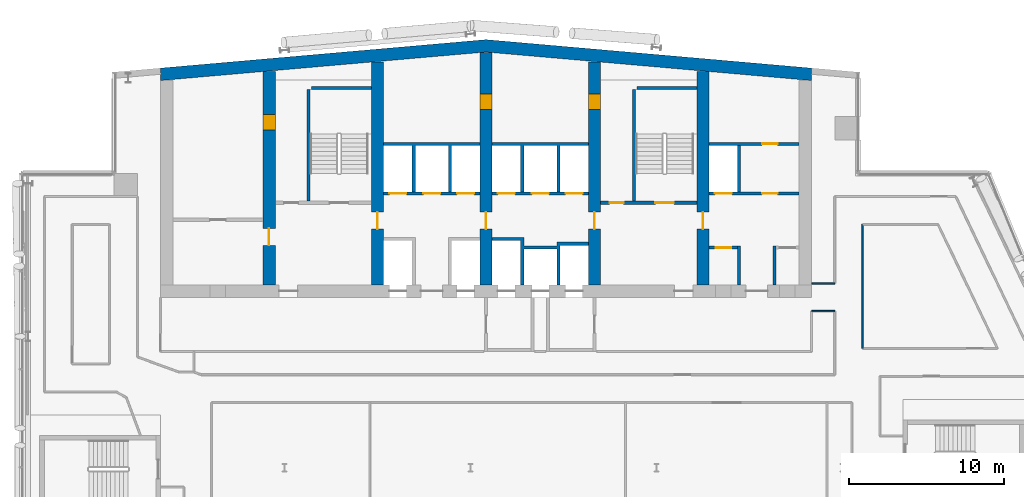
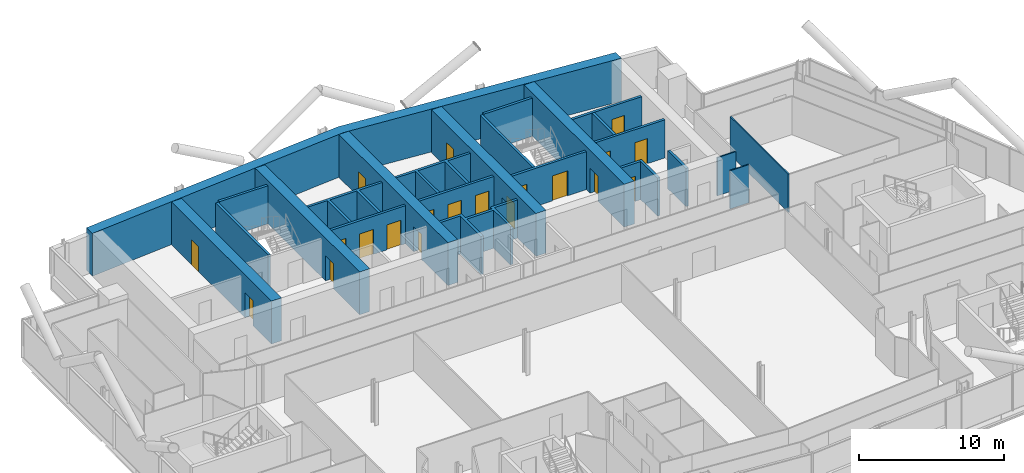
# One storey, part 18 of 28: 25 walls, 20 doors, 20 openings.
"""IFC4 building model written with IfcOpenShell, lengths in metres."""

from ifc_helpers import new_model, si_unit, direction, frame, frame_2d, origin, place, context, subcontext, project, spatial, polyline, rectangle, outline, extrude, material, layer, layer_set, type_object, element, fill, save


model = new_model("IFC4")

# Units and contexts
model_context = context("Model", 3, precision=1e-05, world=origin(), true_north=direction((0.0, 1.0)))
body_context = subcontext(model_context, "Body", "Model", "MODEL_VIEW")
ifc_project = project(units=[si_unit("LENGTHUNIT", "METRE"), si_unit("AREAUNIT", "SQUARE_METRE"), si_unit("VOLUMEUNIT", "CUBIC_METRE"), si_unit("PLANEANGLEUNIT", "RADIAN"), si_unit("MASSUNIT", "GRAM", prefix="KILO")], contexts=[model_context])

# Site, building, storey
site_placement = place(None, origin())
site = spatial("IfcSite", under=ifc_project, at=site_placement, CompositionType="ELEMENT")
building_placement = place(site_placement, origin())
building = spatial("IfcBuilding", under=site, at=building_placement, Name="Wharfspan Tower", CompositionType="ELEMENT")
storey_placement = place(building_placement, frame((0.0, 0.0, 187.899902)))
storey = spatial("IfcBuildingStorey", under=building, at=storey_placement, Name="L46", CompositionType="ELEMENT", Elevation=187.899902)

# Walls
ifc_material_1 = material(Name="Gypsum board on steel studs", Category="steel")
ifc_layer_1 = layer(ifc_material_1, 0.100098)
ifc_layer_set_1 = layer_set([ifc_layer_1], Name="Gypsum board on steel studs")
wall_type_1 = type_object("IfcWallType", Name="Compartment wall 100 EI 60", PredefinedType="PARTITIONING", material=ifc_layer_set_1)
wall_1_placement = place(storey_placement, frame((58.0, 33.100098, 0.0), z_axis=(0.0, 0.0, 1.0), x_axis=(1.0, 0.0, 0.0)))
element("IfcWall", 1, at=wall_1_placement, inside=storey, type_object=wall_type_1, Name="Partition L46.w077", PredefinedType="PARTITIONING", context=body_context, shape_type="SweptSolid", body=[
    extrude(rectangle(XDim=1.5, YDim=0.100098, at=frame_2d((0.75, 0.0))), origin(), (0.0, 0.0, 1.0), 3.200195),
])
wall_2_placement = place(storey_placement, frame((58.02002, 34.899902, 0.0), z_axis=(0.0, 0.0, 1.0), x_axis=(1.0, 0.0, 0.0)))
element("IfcWall", 2, at=wall_2_placement, inside=storey, type_object=wall_type_1, Name="Partition L46.w078", PredefinedType="PARTITIONING", context=body_context, shape_type="SweptSolid", body=[
    extrude(rectangle(XDim=1.47998, YDim=0.100098, at=frame_2d((0.73999, 0.0))), origin(), (0.0, 0.0, 1.0), 3.200195),
])
wall_3_placement = place(storey_placement, frame((61.300049, 30.699951, 0.0), z_axis=(0.0, 0.0, 1.0), x_axis=(0.0, 1.0, 0.0)))
element("IfcWall", 3, at=wall_3_placement, inside=storey, type_object=wall_type_1, Name="Partition L46.w093", PredefinedType="PARTITIONING", context=body_context, shape_type="SweptSolid", body=[
    extrude(rectangle(XDim=8.0, YDim=0.100098, at=frame_2d((4.0, 0.0))), origin(), (0.0, 0.0, 1.0), 3.200195),
])

# Wall, opening, door
ifc_material_2 = material(Name="Calcium silicate masonry", Category="masonry")
ifc_layer_2 = layer(ifc_material_2, 0.199951)
ifc_layer_set_2 = layer_set([ifc_layer_2], Name="Calcium silicate masonry")
wall_type_2 = type_object("IfcWallType", Name="Core room wall 200", PredefinedType="PARTITIONING", material=ifc_layer_set_2)
wall_4_placement = place(storey_placement, frame((51.399902, 37.199951, 0.0), z_axis=(0.0, 0.0, 1.0), x_axis=(1.0, 0.0, 0.0)))
wall_4 = element("IfcWall", 4, at=wall_4_placement, inside=storey, type_object=wall_type_2, Name="sw:L46:FR6.1", PredefinedType="PARTITIONING", context=body_context, shape_type="SweptSolid", body=[
    extrude(rectangle(XDim=1.833496, YDim=0.199951, at=frame_2d((0.916748, 0.0))), origin(), (0.0, 0.0, 1.0), 3.200195),
])
opening_1_placement = place(wall_4_placement, frame((0.416748, 0.0, 0.0)))
opening_1 = element("IfcOpeningElement", 5, at=opening_1_placement, cuts=wall_4, Name="Opening CD46.6H1", PredefinedType="OPENING", context=body_context, shape_type="SweptSolid", body=[
    extrude(rectangle(XDim=1.0, YDim=2.100098, at=frame_2d((0.5, 1.050049))), frame((0.0, 0.109863, 0.0), z_axis=(0.0, -1.0, 0.0), x_axis=(1.0, 0.0, 0.0)), (0.0, 0.0, 1.0), 0.219971),
])
ifc_material_3 = material(Name="Steel door leaf", Category="steel")
door_type_1 = type_object("IfcDoorType", Name="Core room door 1000x2100", OperationType="SINGLE_SWING_LEFT", PredefinedType="DOOR", material=ifc_material_3)
door_1_placement = place(opening_1_placement, origin())
door_1 = element("IfcDoor", 6, at=door_1_placement, inside=storey, type_object=door_type_1, Name="d:L46:6:fh6.1", OperationType="SINGLE_SWING_RIGHT", OverallHeight=2.100098, OverallWidth=1.0, PredefinedType="DOOR", context=body_context, shape_type="SweptSolid", body=[
    extrude(rectangle(XDim=1.0, YDim=2.100098, at=frame_2d((0.5, 1.050049))), frame((0.0, 0.024902, 0.0), z_axis=(0.0, -1.0, 0.0), x_axis=(1.0, 0.0, 0.0)), (0.0, 0.0, 1.0), 0.050049),
])
fill(opening_1, door_1)

# Wall
ifc_material_4 = material(Name="Concrete C60/75", Category="concrete")
ifc_layer_3 = layer(ifc_material_4, 0.800049)
ifc_layer_set_3 = layer_set([ifc_layer_3], Name="Concrete C60/75")
wall_type_3 = type_object("IfcWallType", Name="Core wall 800 C60/75", PredefinedType="SHEAR", material=ifc_layer_set_3)
wall_5_placement = place(storey_placement, origin())
element("IfcWall", 7, at=wall_5_placement, inside=storey, type_object=wall_type_3, Name="Core rear wall L46", PredefinedType="SHEAR", context=body_context, shape_type="SweptSolid", body=[
    extrude(outline(polyline([(16.0, 47.984375), (37.0, 49.821533), (58.0, 47.984375), (58.0, 48.787354), (37.0, 50.624756), (16.0, 48.787354), (16.0, 47.984375)])), origin(), (0.0, 0.0, 1.0), 3.600098),
])

# Wall, openings, doors
wall_6_placement = place(storey_placement, frame((23.0, 34.800049, 0.0), z_axis=(0.0, 0.0, 1.0), x_axis=(0.0, 1.0, 0.0)))
wall_6 = element("IfcWall", 8, at=wall_6_placement, inside=storey, type_object=wall_type_3, Name="Core cross wall X2 L46", PredefinedType="SHEAR", context=body_context, shape_type="SweptSolid", body=[
    extrude(rectangle(XDim=13.761719, YDim=0.800049, at=frame_2d((6.880859, 0.0))), origin(), (0.0, 0.0, 1.0), 3.600098),
])
opening_2_placement = place(wall_6_placement, frame((2.550049, 0.0, 0.0)))
opening_2 = element("IfcOpeningElement", 9, at=opening_2_placement, cuts=wall_6, Name="Opening CC46.2", PredefinedType="OPENING", context=body_context, shape_type="SweptSolid", body=[
    extrude(rectangle(XDim=1.100098, YDim=2.100098, at=frame_2d((0.550049, 1.050049))), frame((0.0, 0.409912, 0.0), z_axis=(0.0, -1.0, 0.0), x_axis=(1.0, 0.0, 0.0)), (0.0, 0.0, 1.0), 0.820068),
])
opening_3_placement = place(wall_6_placement, frame((10.0, 0.0, 0.0)))
opening_3 = element("IfcOpeningElement", 10, at=opening_3_placement, cuts=wall_6, Name="Opening CR46.2", PredefinedType="OPENING", context=body_context, shape_type="SweptSolid", body=[
    extrude(rectangle(XDim=1.0, YDim=2.100098, at=frame_2d((0.5, 1.050049))), frame((0.0, 0.409912, 0.0), z_axis=(0.0, -1.0, 0.0), x_axis=(1.0, 0.0, 0.0)), (0.0, 0.0, 1.0), 0.820068),
])
door_type_2 = type_object("IfcDoorType", Name="Core corridor door 1100x2100", OperationType="SINGLE_SWING_LEFT", PredefinedType="DOOR", material=ifc_material_3)
door_2_placement = place(opening_2_placement, origin())
door_2 = element("IfcDoor", 11, at=door_2_placement, inside=storey, type_object=door_type_2, Name="xd:L46:2", OperationType="SINGLE_SWING_RIGHT", OverallHeight=2.100098, OverallWidth=1.100098, PredefinedType="DOOR", context=body_context, shape_type="SweptSolid", body=[
    extrude(rectangle(XDim=1.100098, YDim=2.100098, at=frame_2d((0.550049, 1.050049))), frame((0.0, 0.024902, 0.0), z_axis=(0.0, -1.0, 0.0), x_axis=(1.0, 0.0, 0.0)), (0.0, 0.0, 1.0), 0.050049),
])
fill(opening_2, door_2)
door_3_placement = place(opening_3_placement, origin())
door_3 = element("IfcDoor", 12, at=door_3_placement, inside=storey, type_object=door_type_1, Name="xr:L46:2", OperationType="SINGLE_SWING_RIGHT", OverallHeight=2.100098, OverallWidth=1.0, PredefinedType="DOOR", context=body_context, shape_type="SweptSolid", body=[
    extrude(rectangle(XDim=1.0, YDim=2.100098, at=frame_2d((0.5, 1.050049))), frame((0.0, 0.399902, 0.0), z_axis=(0.0, -1.0, 0.0), x_axis=(1.0, 0.0, 0.0)), (0.0, 0.0, 1.0), 0.799561),
])
fill(opening_3, door_3)

# Wall, opening, door
wall_7_placement = place(storey_placement, frame((30.0, 34.800049, 0.0), z_axis=(0.0, 0.0, 1.0), x_axis=(0.0, 1.0, 0.0)))
wall_7 = element("IfcWall", 13, at=wall_7_placement, inside=storey, type_object=wall_type_3, Name="Core cross wall X3 L46", PredefinedType="SHEAR", context=body_context, shape_type="SweptSolid", body=[
    extrude(rectangle(XDim=14.374023, YDim=0.800049, at=frame_2d((7.187012, 0.0))), origin(), (0.0, 0.0, 1.0), 3.600098),
])
opening_4_placement = place(wall_7_placement, frame((3.600098, 0.0, 0.0)))
opening_4 = element("IfcOpeningElement", 14, at=opening_4_placement, cuts=wall_7, Name="Opening CC46.3", PredefinedType="OPENING", context=body_context, shape_type="SweptSolid", body=[
    extrude(rectangle(XDim=1.100098, YDim=2.100098, at=frame_2d((0.550049, 1.050049))), frame((0.0, 0.409912, 0.0), z_axis=(0.0, -1.0, 0.0), x_axis=(1.0, 0.0, 0.0)), (0.0, 0.0, 1.0), 0.820068),
])
door_4_placement = place(opening_4_placement, origin())
door_4 = element("IfcDoor", 15, at=door_4_placement, inside=storey, type_object=door_type_2, Name="xd:L46:3", OperationType="SINGLE_SWING_LEFT", OverallHeight=2.100098, OverallWidth=1.100098, PredefinedType="DOOR", context=body_context, shape_type="SweptSolid", body=[
    extrude(rectangle(XDim=1.100098, YDim=2.100098, at=frame_2d((0.550049, 1.050049))), frame((0.0, 0.024902, 0.0), z_axis=(0.0, -1.0, 0.0), x_axis=(1.0, 0.0, 0.0)), (0.0, 0.0, 1.0), 0.050049),
])
fill(opening_4, door_4)

# Wall, openings, doors
wall_8_placement = place(storey_placement, frame((37.0, 34.800049, 0.0), z_axis=(0.0, 0.0, 1.0), x_axis=(0.0, 1.0, 0.0)))
wall_8 = element("IfcWall", 16, at=wall_8_placement, inside=storey, type_object=wall_type_3, Name="Core cross wall X4 L46", PredefinedType="SHEAR", context=body_context, shape_type="SweptSolid", body=[
    extrude(rectangle(XDim=14.986572, YDim=0.800049, at=frame_2d((7.493164, 0.0))), origin(), (0.0, 0.0, 1.0), 3.600098),
])
opening_5_placement = place(wall_8_placement, frame((11.312012, 0.0, 0.0)))
opening_5 = element("IfcOpeningElement", 17, at=opening_5_placement, cuts=wall_8, Name="Opening CD46.3X", PredefinedType="OPENING", context=body_context, shape_type="SweptSolid", body=[
    extrude(rectangle(XDim=1.0, YDim=2.100098, at=frame_2d((0.5, 1.050049))), frame((0.0, 0.409912, 0.0), z_axis=(0.0, -1.0, 0.0), x_axis=(1.0, 0.0, 0.0)), (0.0, 0.0, 1.0), 0.820068),
])
opening_6_placement = place(wall_8_placement, frame((3.600098, 0.0, 0.0)))
opening_6 = element("IfcOpeningElement", 18, at=opening_6_placement, cuts=wall_8, Name="Opening CC46.4", PredefinedType="OPENING", context=body_context, shape_type="SweptSolid", body=[
    extrude(rectangle(XDim=1.100098, YDim=2.100098, at=frame_2d((0.550049, 1.050049))), frame((0.0, 0.409912, 0.0), z_axis=(0.0, -1.0, 0.0), x_axis=(1.0, 0.0, 0.0)), (0.0, 0.0, 1.0), 0.820068),
])
door_5_placement = place(opening_6_placement, origin())
door_5 = element("IfcDoor", 19, at=door_5_placement, inside=storey, type_object=door_type_2, Name="xd:L46:4", OperationType="SINGLE_SWING_RIGHT", OverallHeight=2.100098, OverallWidth=1.100098, PredefinedType="DOOR", context=body_context, shape_type="SweptSolid", body=[
    extrude(rectangle(XDim=1.100098, YDim=2.100098, at=frame_2d((0.550049, 1.050049))), frame((0.0, 0.024902, 0.0), z_axis=(0.0, -1.0, 0.0), x_axis=(1.0, 0.0, 0.0)), (0.0, 0.0, 1.0), 0.050049),
])
fill(opening_6, door_5)
door_6_placement = place(opening_5_placement, origin())
door_6 = element("IfcDoor", 20, at=door_6_placement, inside=storey, type_object=door_type_1, Name="d:L46:3:sx", OperationType="SINGLE_SWING_LEFT", OverallHeight=2.100098, OverallWidth=1.0, PredefinedType="DOOR", context=body_context, shape_type="SweptSolid", body=[
    extrude(rectangle(XDim=1.0, YDim=2.100098, at=frame_2d((0.5, 1.050049))), frame((0.0, 0.399902, 0.0), z_axis=(0.0, -1.0, 0.0), x_axis=(1.0, 0.0, 0.0)), (0.0, 0.0, 1.0), 0.799561),
])
fill(opening_5, door_6)

wall_9_placement = place(storey_placement, frame((44.0, 34.800049, 0.0), z_axis=(0.0, 0.0, 1.0), x_axis=(0.0, 1.0, 0.0)))
wall_9 = element("IfcWall", 21, at=wall_9_placement, inside=storey, type_object=wall_type_3, Name="Core cross wall X5 L46", PredefinedType="SHEAR", context=body_context, shape_type="SweptSolid", body=[
    extrude(rectangle(XDim=14.374023, YDim=0.800049, at=frame_2d((7.187012, 0.0))), origin(), (0.0, 0.0, 1.0), 3.600098),
])
opening_7_placement = place(wall_9_placement, frame((11.312012, 0.0, 0.0)))
opening_7 = element("IfcOpeningElement", 22, at=opening_7_placement, cuts=wall_9, Name="Opening CD46.4X", PredefinedType="OPENING", context=body_context, shape_type="SweptSolid", body=[
    extrude(rectangle(XDim=1.0, YDim=2.100098, at=frame_2d((0.5, 1.050049))), frame((0.0, 0.409912, 0.0), z_axis=(0.0, -1.0, 0.0), x_axis=(1.0, 0.0, 0.0)), (0.0, 0.0, 1.0), 0.820068),
])
opening_8_placement = place(wall_9_placement, frame((3.600098, 0.0, 0.0)))
opening_8 = element("IfcOpeningElement", 23, at=opening_8_placement, cuts=wall_9, Name="Opening CC46.5", PredefinedType="OPENING", context=body_context, shape_type="SweptSolid", body=[
    extrude(rectangle(XDim=1.100098, YDim=2.100098, at=frame_2d((0.550049, 1.050049))), frame((0.0, 0.409912, 0.0), z_axis=(0.0, -1.0, 0.0), x_axis=(1.0, 0.0, 0.0)), (0.0, 0.0, 1.0), 0.820068),
])
door_7_placement = place(opening_8_placement, origin())
door_7 = element("IfcDoor", 24, at=door_7_placement, inside=storey, type_object=door_type_2, Name="xd:L46:5", OperationType="SINGLE_SWING_LEFT", OverallHeight=2.100098, OverallWidth=1.100098, PredefinedType="DOOR", context=body_context, shape_type="SweptSolid", body=[
    extrude(rectangle(XDim=1.100098, YDim=2.100098, at=frame_2d((0.550049, 1.050049))), frame((0.0, 0.024902, 0.0), z_axis=(0.0, -1.0, 0.0), x_axis=(1.0, 0.0, 0.0)), (0.0, 0.0, 1.0), 0.050049),
])
fill(opening_8, door_7)
door_8_placement = place(opening_7_placement, origin())
door_8 = element("IfcDoor", 25, at=door_8_placement, inside=storey, type_object=door_type_1, Name="d:L46:4:sx", OperationType="SINGLE_SWING_LEFT", OverallHeight=2.100098, OverallWidth=1.0, PredefinedType="DOOR", context=body_context, shape_type="SweptSolid", body=[
    extrude(rectangle(XDim=1.0, YDim=2.100098, at=frame_2d((0.5, 1.050049))), frame((0.0, 0.399902, 0.0), z_axis=(0.0, -1.0, 0.0), x_axis=(1.0, 0.0, 0.0)), (0.0, 0.0, 1.0), 0.799561),
])
fill(opening_7, door_8)

# Wall, opening, door
wall_10_placement = place(storey_placement, frame((51.0, 34.800049, 0.0), z_axis=(0.0, 0.0, 1.0), x_axis=(0.0, 1.0, 0.0)))
wall_10 = element("IfcWall", 26, at=wall_10_placement, inside=storey, type_object=wall_type_3, Name="Core cross wall X6 L46", PredefinedType="SHEAR", context=body_context, shape_type="SweptSolid", body=[
    extrude(rectangle(XDim=13.761719, YDim=0.800049, at=frame_2d((6.880859, 0.0))), origin(), (0.0, 0.0, 1.0), 3.600098),
])
opening_9_placement = place(wall_10_placement, frame((3.600098, 0.0, 0.0)))
opening_9 = element("IfcOpeningElement", 27, at=opening_9_placement, cuts=wall_10, Name="Opening CC46.6", PredefinedType="OPENING", context=body_context, shape_type="SweptSolid", body=[
    extrude(rectangle(XDim=1.100098, YDim=2.100098, at=frame_2d((0.550049, 1.050049))), frame((0.0, 0.409912, 0.0), z_axis=(0.0, -1.0, 0.0), x_axis=(1.0, 0.0, 0.0)), (0.0, 0.0, 1.0), 0.820068),
])
door_9_placement = place(opening_9_placement, origin())
door_9 = element("IfcDoor", 28, at=door_9_placement, inside=storey, type_object=door_type_2, Name="xd:L46:6", OperationType="SINGLE_SWING_RIGHT", OverallHeight=2.100098, OverallWidth=1.100098, PredefinedType="DOOR", context=body_context, shape_type="SweptSolid", body=[
    extrude(rectangle(XDim=1.100098, YDim=2.100098, at=frame_2d((0.550049, 1.050049))), frame((0.0, 0.024902, 0.0), z_axis=(0.0, -1.0, 0.0), x_axis=(1.0, 0.0, 0.0)), (0.0, 0.0, 1.0), 0.050049),
])
fill(opening_9, door_9)

# Wall, openings, doors
ifc_material_5 = material(Name="Concrete C30/37", Category="concrete")
ifc_layer_4 = layer(ifc_material_5, 0.199951)
ifc_layer_set_4 = layer_set([ifc_layer_4], Name="Concrete C30/37")
wall_type_4 = type_object("IfcWallType", Name="Lift shaft wall 200", PredefinedType="PARTITIONING", material=ifc_layer_set_4)
wall_11_placement = place(storey_placement, frame((30.399902, 40.699951, 0.0), z_axis=(0.0, 0.0, 1.0), x_axis=(1.0, 0.0, 0.0)))
wall_11 = element("IfcWall", 29, at=wall_11_placement, inside=storey, type_object=wall_type_4, Name="sw:L46:RF3", PredefinedType="PARTITIONING", context=body_context, shape_type="SweptSolid", body=[
    extrude(rectangle(XDim=6.200195, YDim=0.199951, at=frame_2d((3.100098, 0.0))), origin(), (0.0, 0.0, 1.0), 3.200195),
])
opening_10_placement = place(wall_11_placement, frame((0.366699, 0.0, 0.0)))
opening_10 = element("IfcOpeningElement", 30, at=opening_10_placement, cuts=wall_11, Name="Opening LD.LB1.L46", PredefinedType="OPENING", context=body_context, shape_type="SweptSolid", body=[
    extrude(rectangle(XDim=1.100098, YDim=2.100098, at=frame_2d((0.550049, 1.050049))), frame((0.0, 0.109863, 0.0), z_axis=(0.0, -1.0, 0.0), x_axis=(1.0, 0.0, 0.0)), (0.0, 0.0, 1.0), 0.219971),
])
opening_11_placement = place(wall_11_placement, frame((2.550049, 0.0, 0.0)))
opening_11 = element("IfcOpeningElement", 31, at=opening_11_placement, cuts=wall_11, Name="Opening LD.LB2.L46", PredefinedType="OPENING", context=body_context, shape_type="SweptSolid", body=[
    extrude(rectangle(XDim=1.100098, YDim=2.100098, at=frame_2d((0.550049, 1.050049))), frame((0.0, 0.109863, 0.0), z_axis=(0.0, -1.0, 0.0), x_axis=(1.0, 0.0, 0.0)), (0.0, 0.0, 1.0), 0.219971),
])
opening_12_placement = place(wall_11_placement, frame((4.733398, 0.0, 0.0)))
opening_12 = element("IfcOpeningElement", 32, at=opening_12_placement, cuts=wall_11, Name="Opening LD.LB3.L46", PredefinedType="OPENING", context=body_context, shape_type="SweptSolid", body=[
    extrude(rectangle(XDim=1.100098, YDim=2.100098, at=frame_2d((0.550049, 1.050049))), frame((0.0, 0.109863, 0.0), z_axis=(0.0, -1.0, 0.0), x_axis=(1.0, 0.0, 0.0)), (0.0, 0.0, 1.0), 0.219971),
])
ifc_material_6 = material(Name="Stainless steel", Category="steel")
door_type_3 = type_object("IfcDoorType", Name="Lift landing door 1100x2100", OperationType="DOUBLE_DOOR_SLIDING", PredefinedType="DOOR", material=ifc_material_6)
door_10_placement = place(opening_10_placement, origin())
door_10 = element("IfcDoor", 33, at=door_10_placement, inside=storey, type_object=door_type_3, Name="Landing door LB1 L46", OperationType="DOUBLE_DOOR_SLIDING", OverallHeight=2.100098, OverallWidth=1.100098, PredefinedType="DOOR", context=body_context, shape_type="SweptSolid", body=[
    extrude(rectangle(XDim=1.100098, YDim=2.100098, at=frame_2d((0.550049, 1.050049))), frame((0.0, 0.024902, 0.0), z_axis=(0.0, -1.0, 0.0), x_axis=(1.0, 0.0, 0.0)), (0.0, 0.0, 1.0), 0.050049),
])
fill(opening_10, door_10)
door_11_placement = place(opening_11_placement, origin())
door_11 = element("IfcDoor", 34, at=door_11_placement, inside=storey, type_object=door_type_3, Name="Landing door LB2 L46", OperationType="DOUBLE_DOOR_SLIDING", OverallHeight=2.100098, OverallWidth=1.100098, PredefinedType="DOOR", context=body_context, shape_type="SweptSolid", body=[
    extrude(rectangle(XDim=1.100098, YDim=2.100098, at=frame_2d((0.550049, 1.050049))), frame((0.0, 0.024902, 0.0), z_axis=(0.0, -1.0, 0.0), x_axis=(1.0, 0.0, 0.0)), (0.0, 0.0, 1.0), 0.050049),
])
fill(opening_11, door_11)
door_12_placement = place(opening_12_placement, origin())
door_12 = element("IfcDoor", 35, at=door_12_placement, inside=storey, type_object=door_type_3, Name="Landing door LB3 L46", OperationType="DOUBLE_DOOR_SLIDING", OverallHeight=2.100098, OverallWidth=1.100098, PredefinedType="DOOR", context=body_context, shape_type="SweptSolid", body=[
    extrude(rectangle(XDim=1.100098, YDim=2.100098, at=frame_2d((0.550049, 1.050049))), frame((0.0, 0.024902, 0.0), z_axis=(0.0, -1.0, 0.0), x_axis=(1.0, 0.0, 0.0)), (0.0, 0.0, 1.0), 0.050049),
])
fill(opening_12, door_12)

# Wall
wall_12_placement = place(storey_placement, origin())
element("IfcWall", 36, at=wall_12_placement, inside=storey, type_object=wall_type_4, Name="sw:L46:RM3.0", PredefinedType="PARTITIONING", context=body_context, shape_type="SweptSolid", body=[
    extrude(outline(polyline([(32.43335, 40.800049), (32.233398, 40.800049), (32.233398, 43.800049), (30.399902, 43.800049), (30.399902, 44.0), (36.600098, 44.0), (36.600098, 43.800049), (34.766602, 43.800049), (34.766602, 40.800049), (34.56665, 40.800049), (34.56665, 43.800049), (32.43335, 43.800049), (32.43335, 40.800049)])), origin(), (0.0, 0.0, 1.0), 3.200195),
])

# Wall, openings, doors
wall_13_placement = place(storey_placement, frame((37.399902, 40.699951, 0.0), z_axis=(0.0, 0.0, 1.0), x_axis=(1.0, 0.0, 0.0)))
wall_13 = element("IfcWall", 37, at=wall_13_placement, inside=storey, type_object=wall_type_4, Name="sw:L46:RF4", PredefinedType="PARTITIONING", context=body_context, shape_type="SweptSolid", body=[
    extrude(rectangle(XDim=6.200195, YDim=0.199951, at=frame_2d((3.100098, 0.0))), origin(), (0.0, 0.0, 1.0), 3.200195),
])
opening_13_placement = place(wall_13_placement, frame((0.366699, 0.0, 0.0)))
opening_13 = element("IfcOpeningElement", 38, at=opening_13_placement, cuts=wall_13, Name="Opening LD.LB4.L46", PredefinedType="OPENING", context=body_context, shape_type="SweptSolid", body=[
    extrude(rectangle(XDim=1.100098, YDim=2.100098, at=frame_2d((0.550049, 1.050049))), frame((0.0, 0.109863, 0.0), z_axis=(0.0, -1.0, 0.0), x_axis=(1.0, 0.0, 0.0)), (0.0, 0.0, 1.0), 0.219971),
])
opening_14_placement = place(wall_13_placement, frame((2.550049, 0.0, 0.0)))
opening_14 = element("IfcOpeningElement", 39, at=opening_14_placement, cuts=wall_13, Name="Opening LD.LB5.L46", PredefinedType="OPENING", context=body_context, shape_type="SweptSolid", body=[
    extrude(rectangle(XDim=1.100098, YDim=2.100098, at=frame_2d((0.550049, 1.050049))), frame((0.0, 0.109863, 0.0), z_axis=(0.0, -1.0, 0.0), x_axis=(1.0, 0.0, 0.0)), (0.0, 0.0, 1.0), 0.219971),
])
opening_15_placement = place(wall_13_placement, frame((4.733398, 0.0, 0.0)))
opening_15 = element("IfcOpeningElement", 40, at=opening_15_placement, cuts=wall_13, Name="Opening LD.LB6.L46", PredefinedType="OPENING", context=body_context, shape_type="SweptSolid", body=[
    extrude(rectangle(XDim=1.100098, YDim=2.100098, at=frame_2d((0.550049, 1.050049))), frame((0.0, 0.109863, 0.0), z_axis=(0.0, -1.0, 0.0), x_axis=(1.0, 0.0, 0.0)), (0.0, 0.0, 1.0), 0.219971),
])
door_13_placement = place(opening_13_placement, origin())
door_13 = element("IfcDoor", 41, at=door_13_placement, inside=storey, type_object=door_type_3, Name="Landing door LB4 L46", OperationType="DOUBLE_DOOR_SLIDING", OverallHeight=2.100098, OverallWidth=1.100098, PredefinedType="DOOR", context=body_context, shape_type="SweptSolid", body=[
    extrude(rectangle(XDim=1.100098, YDim=2.100098, at=frame_2d((0.550049, 1.050049))), frame((0.0, 0.024902, 0.0), z_axis=(0.0, -1.0, 0.0), x_axis=(1.0, 0.0, 0.0)), (0.0, 0.0, 1.0), 0.050049),
])
fill(opening_13, door_13)
door_14_placement = place(opening_14_placement, origin())
door_14 = element("IfcDoor", 42, at=door_14_placement, inside=storey, type_object=door_type_3, Name="Landing door LB5 L46", OperationType="DOUBLE_DOOR_SLIDING", OverallHeight=2.100098, OverallWidth=1.100098, PredefinedType="DOOR", context=body_context, shape_type="SweptSolid", body=[
    extrude(rectangle(XDim=1.100098, YDim=2.100098, at=frame_2d((0.550049, 1.050049))), frame((0.0, 0.024902, 0.0), z_axis=(0.0, -1.0, 0.0), x_axis=(1.0, 0.0, 0.0)), (0.0, 0.0, 1.0), 0.050049),
])
fill(opening_14, door_14)
door_15_placement = place(opening_15_placement, origin())
door_15 = element("IfcDoor", 43, at=door_15_placement, inside=storey, type_object=door_type_3, Name="Landing door LB6 L46", OperationType="DOUBLE_DOOR_SLIDING", OverallHeight=2.100098, OverallWidth=1.100098, PredefinedType="DOOR", context=body_context, shape_type="SweptSolid", body=[
    extrude(rectangle(XDim=1.100098, YDim=2.100098, at=frame_2d((0.550049, 1.050049))), frame((0.0, 0.024902, 0.0), z_axis=(0.0, -1.0, 0.0), x_axis=(1.0, 0.0, 0.0)), (0.0, 0.0, 1.0), 0.050049),
])
fill(opening_15, door_15)

# Walls
wall_14_placement = place(storey_placement, origin())
element("IfcWall", 44, at=wall_14_placement, inside=storey, type_object=wall_type_4, Name="sw:L46:FM4.0", PredefinedType="PARTITIONING", context=body_context, shape_type="SweptSolid", body=[
    extrude(outline(polyline([(41.56665, 37.100098), (39.43335, 37.100098), (39.43335, 34.800049), (39.233398, 34.800049), (39.233398, 37.649902), (37.399902, 37.649902), (37.399902, 37.850098), (39.233398, 37.850098), (39.43335, 37.850098), (39.43335, 37.300049), (41.56665, 37.300049), (41.56665, 37.550049), (41.766602, 37.550049), (43.600098, 37.550049), (43.600098, 37.350098), (41.766602, 37.350098), (41.766602, 34.800049), (41.56665, 34.800049), (41.56665, 37.100098)])), origin(), (0.0, 0.0, 1.0), 3.200195),
])
wall_15_placement = place(storey_placement, origin())
element("IfcWall", 45, at=wall_15_placement, inside=storey, type_object=wall_type_4, Name="sw:L46:RM4.0", PredefinedType="PARTITIONING", context=body_context, shape_type="SweptSolid", body=[
    extrude(outline(polyline([(39.43335, 40.800049), (39.233398, 40.800049), (39.233398, 43.800049), (37.399902, 43.800049), (37.399902, 44.0), (43.600098, 44.0), (43.600098, 43.800049), (41.766602, 43.800049), (41.766602, 40.800049), (41.56665, 40.800049), (41.56665, 43.800049), (39.43335, 43.800049), (39.43335, 40.800049)])), origin(), (0.0, 0.0, 1.0), 3.200195),
])

# Wall, openings, doors
wall_16_placement = place(storey_placement, frame((51.399902, 40.699951, 0.0), z_axis=(0.0, 0.0, 1.0), x_axis=(1.0, 0.0, 0.0)))
wall_16 = element("IfcWall", 46, at=wall_16_placement, inside=storey, type_object=wall_type_4, Name="sw:L46:RF6", PredefinedType="PARTITIONING", context=body_context, shape_type="SweptSolid", body=[
    extrude(rectangle(XDim=5.800049, YDim=0.199951, at=frame_2d((2.899902, 0.0))), origin(), (0.0, 0.0, 1.0), 3.200195),
])
opening_16_placement = place(wall_16_placement, frame((0.366699, 0.0, 0.0)))
opening_16 = element("IfcOpeningElement", 47, at=opening_16_placement, cuts=wall_16, Name="Opening LD.LB8.L46", PredefinedType="OPENING", context=body_context, shape_type="SweptSolid", body=[
    extrude(rectangle(XDim=1.100098, YDim=2.100098, at=frame_2d((0.550049, 1.050049))), frame((0.0, 0.109863, 0.0), z_axis=(0.0, -1.0, 0.0), x_axis=(1.0, 0.0, 0.0)), (0.0, 0.0, 1.0), 0.219971),
])
opening_17_placement = place(wall_16_placement, frame((3.416748, 0.0, 0.0)))
opening_17 = element("IfcOpeningElement", 48, at=opening_17_placement, cuts=wall_16, Name="Opening CD46.6R2", PredefinedType="OPENING", context=body_context, shape_type="SweptSolid", body=[
    extrude(rectangle(XDim=1.0, YDim=2.100098, at=frame_2d((0.5, 1.050049))), frame((0.0, 0.109863, 0.0), z_axis=(0.0, -1.0, 0.0), x_axis=(1.0, 0.0, 0.0)), (0.0, 0.0, 1.0), 0.219971),
])
door_16_placement = place(opening_17_placement, origin())
door_16 = element("IfcDoor", 49, at=door_16_placement, inside=storey, type_object=door_type_1, Name="d:L46:6:rd6.2", OperationType="SINGLE_SWING_RIGHT", OverallHeight=2.100098, OverallWidth=1.0, PredefinedType="DOOR", context=body_context, shape_type="SweptSolid", body=[
    extrude(rectangle(XDim=1.0, YDim=2.100098, at=frame_2d((0.5, 1.050049))), frame((0.0, 0.024902, 0.0), z_axis=(0.0, -1.0, 0.0), x_axis=(1.0, 0.0, 0.0)), (0.0, 0.0, 1.0), 0.050049),
])
fill(opening_17, door_16)
door_17_placement = place(opening_16_placement, origin())
door_17 = element("IfcDoor", 50, at=door_17_placement, inside=storey, type_object=door_type_3, Name="Landing door LB8 L46", OperationType="DOUBLE_DOOR_SLIDING", OverallHeight=2.100098, OverallWidth=1.100098, PredefinedType="DOOR", context=body_context, shape_type="SweptSolid", body=[
    extrude(rectangle(XDim=1.100098, YDim=2.100098, at=frame_2d((0.550049, 1.050049))), frame((0.0, 0.024902, 0.0), z_axis=(0.0, -1.0, 0.0), x_axis=(1.0, 0.0, 0.0)), (0.0, 0.0, 1.0), 0.050049),
])
fill(opening_16, door_17)

# Wall, opening, door
wall_17_placement = place(storey_placement, frame((51.399902, 43.899902, 0.0), z_axis=(0.0, 0.0, 1.0), x_axis=(1.0, 0.0, 0.0)))
wall_17 = element("IfcWall", 51, at=wall_17_placement, inside=storey, type_object=wall_type_4, Name="sw:L46:RR6", PredefinedType="PARTITIONING", context=body_context, shape_type="SweptSolid", body=[
    extrude(rectangle(XDim=5.800049, YDim=0.199951, at=frame_2d((2.899902, 0.0))), origin(), (0.0, 0.0, 1.0), 3.200195),
])
opening_18_placement = place(wall_17_placement, frame((3.416748, 0.0, 0.0)))
opening_18 = element("IfcOpeningElement", 52, at=opening_18_placement, cuts=wall_17, Name="Opening CD46.6S2", PredefinedType="OPENING", context=body_context, shape_type="SweptSolid", body=[
    extrude(rectangle(XDim=1.0, YDim=2.100098, at=frame_2d((0.5, 1.050049))), frame((0.0, 0.109863, 0.0), z_axis=(0.0, -1.0, 0.0), x_axis=(1.0, 0.0, 0.0)), (0.0, 0.0, 1.0), 0.219971),
])
door_18_placement = place(opening_18_placement, origin())
door_18 = element("IfcDoor", 53, at=door_18_placement, inside=storey, type_object=door_type_1, Name="d:L46:6:rs6.2", OperationType="SINGLE_SWING_LEFT", OverallHeight=2.100098, OverallWidth=1.0, PredefinedType="DOOR", context=body_context, shape_type="SweptSolid", body=[
    extrude(rectangle(XDim=1.0, YDim=2.100098, at=frame_2d((0.5, 1.050049))), frame((0.0, 0.024902, 0.0), z_axis=(0.0, -1.0, 0.0), x_axis=(1.0, 0.0, 0.0)), (0.0, 0.0, 1.0), 0.050049),
])
fill(opening_18, door_18)

# Walls
wall_18_placement = place(storey_placement, origin())
element("IfcWall", 54, at=wall_18_placement, inside=storey, type_object=wall_type_4, Name="sw:L46:FM6.0", PredefinedType="PARTITIONING", context=body_context, shape_type="SweptSolid", body=[
    extrude(outline(polyline([(53.233398, 34.800049), (53.233398, 37.300049), (53.43335, 37.300049), (53.43335, 34.800049), (53.233398, 34.800049)])), origin(), (0.0, 0.0, 1.0), 3.200195),
])
wall_19_placement = place(storey_placement, origin())
element("IfcWall", 55, at=wall_19_placement, inside=storey, type_object=wall_type_4, Name="sw:L46:FM6.1", PredefinedType="PARTITIONING", context=body_context, shape_type="SweptSolid", body=[
    extrude(outline(polyline([(55.5, 34.800049), (55.5, 37.300049), (55.699951, 37.300049), (55.699951, 34.800049), (55.5, 34.800049)])), origin(), (0.0, 0.0, 1.0), 3.200195),
])
wall_20_placement = place(storey_placement, origin())
element("IfcWall", 56, at=wall_20_placement, inside=storey, type_object=wall_type_4, Name="sw:L46:RM6.0", PredefinedType="PARTITIONING", context=body_context, shape_type="SweptSolid", body=[
    extrude(outline(polyline([(53.43335, 40.800049), (53.43335, 43.800049), (53.233398, 43.800049), (53.233398, 40.800049), (53.43335, 40.800049)])), origin(), (0.0, 0.0, 1.0), 3.200195),
])
ifc_material_7 = material(Name="Concrete C40/50", Category="concrete")
ifc_layer_5 = layer(ifc_material_7, 0.199951)
ifc_layer_set_5 = layer_set([ifc_layer_5], Name="Concrete C40/50")
wall_type_5 = type_object("IfcWallType", Name="Stair shaft wall 200", PredefinedType="SHEAR", material=ifc_layer_set_5)
wall_21_placement = place(storey_placement, frame((25.550049, 40.199951, 0.0), z_axis=(0.0, 0.0, 1.0), x_axis=(0.0, 1.0, 0.0)))
element("IfcWall", 57, at=wall_21_placement, inside=storey, type_object=wall_type_5, Name="ST1 stair enclosure wall L46", PredefinedType="SHEAR", context=body_context, shape_type="SweptSolid", body=[
    extrude(rectangle(XDim=7.199951, YDim=0.199951, at=frame_2d((3.600098, 0.0))), origin(), (0.0, 0.0, 1.0), 3.200195),
])
wall_22_placement = place(storey_placement, frame((25.75, 47.5, 0.0), z_axis=(0.0, 0.0, 1.0), x_axis=(1.0, 0.0, 0.0)))
element("IfcWall", 58, at=wall_22_placement, inside=storey, type_object=wall_type_5, Name="ST1 stair enclosure wall L46", PredefinedType="SHEAR", context=body_context, shape_type="SweptSolid", body=[
    extrude(rectangle(XDim=3.850098, YDim=0.199951, at=frame_2d((1.925049, 0.0))), origin(), (0.0, 0.0, 1.0), 3.200195),
])

# Wall, openings, doors
wall_23_placement = place(storey_placement, frame((44.399902, 40.100098, 0.0), z_axis=(0.0, 0.0, 1.0), x_axis=(1.0, 0.0, 0.0)))
wall_23 = element("IfcWall", 59, at=wall_23_placement, inside=storey, type_object=wall_type_5, Name="ST2 stair enclosure wall L46", PredefinedType="SHEAR", context=body_context, shape_type="SweptSolid", body=[
    extrude(rectangle(XDim=6.200195, YDim=0.199951, at=frame_2d((3.100098, 0.0))), origin(), (0.0, 0.0, 1.0), 3.200195),
])
opening_19_placement = place(wall_23_placement, frame((3.524902, 0.0, 0.0)))
opening_19 = element("IfcOpeningElement", 60, at=opening_19_placement, cuts=wall_23, Name="Opening SD5.L46", PredefinedType="OPENING", context=body_context, shape_type="SweptSolid", body=[
    extrude(rectangle(XDim=1.199951, YDim=2.100098, at=frame_2d((0.600098, 1.050049))), frame((0.0, 0.109863, 0.0), z_axis=(0.0, -1.0, 0.0), x_axis=(1.0, 0.0, 0.0)), (0.0, 0.0, 1.0), 0.219971),
])
opening_20_placement = place(wall_23_placement, frame((0.574951, 0.0, 0.0)))
opening_20 = element("IfcOpeningElement", 61, at=opening_20_placement, cuts=wall_23, Name="Opening CD46.5R", PredefinedType="OPENING", context=body_context, shape_type="SweptSolid", body=[
    extrude(rectangle(XDim=0.899902, YDim=2.100098, at=frame_2d((0.449951, 1.050049))), frame((0.0, 0.109863, 0.0), z_axis=(0.0, -1.0, 0.0), x_axis=(1.0, 0.0, 0.0)), (0.0, 0.0, 1.0), 0.219971),
])
door_19_placement = place(opening_20_placement, origin())
door_19 = element("IfcDoor", 62, at=door_19_placement, inside=storey, type_object=door_type_1, Name="rk:L46:5", OperationType="SINGLE_SWING_LEFT", OverallHeight=2.100098, OverallWidth=0.899902, PredefinedType="DOOR", context=body_context, shape_type="SweptSolid", body=[
    extrude(rectangle(XDim=0.899902, YDim=2.100098, at=frame_2d((0.449951, 1.050049))), frame((0.0, 0.024902, 0.0), z_axis=(0.0, -1.0, 0.0), x_axis=(1.0, 0.0, 0.0)), (0.0, 0.0, 1.0), 0.050049),
])
fill(opening_20, door_19)
door_type_4 = type_object("IfcDoorType", Name="Stair door 1200x2100", OperationType="SINGLE_SWING_LEFT", PredefinedType="DOOR", material=ifc_material_3)
door_20_placement = place(opening_19_placement, origin())
door_20 = element("IfcDoor", 63, at=door_20_placement, inside=storey, type_object=door_type_4, Name="sd:L46:5", OperationType="SINGLE_SWING_RIGHT", OverallHeight=2.100098, OverallWidth=1.199951, PredefinedType="DOOR", context=body_context, shape_type="SweptSolid", body=[
    extrude(rectangle(XDim=1.199951, YDim=2.100098, at=frame_2d((0.600098, 1.050049))), frame((0.0, 0.024902, 0.0), z_axis=(0.0, -1.0, 0.0), x_axis=(1.0, 0.0, 0.0)), (0.0, 0.0, 1.0), 0.050049),
])
fill(opening_19, door_20)

# Walls
wall_24_placement = place(storey_placement, frame((46.550049, 40.199951, 0.0), z_axis=(0.0, 0.0, 1.0), x_axis=(0.0, 1.0, 0.0)))
element("IfcWall", 64, at=wall_24_placement, inside=storey, type_object=wall_type_5, Name="ST2 stair enclosure wall L46", PredefinedType="SHEAR", context=body_context, shape_type="SweptSolid", body=[
    extrude(rectangle(XDim=7.199951, YDim=0.199951, at=frame_2d((3.600098, 0.0))), origin(), (0.0, 0.0, 1.0), 3.200195),
])
wall_25_placement = place(storey_placement, frame((46.75, 47.5, 0.0), z_axis=(0.0, 0.0, 1.0), x_axis=(1.0, 0.0, 0.0)))
element("IfcWall", 65, at=wall_25_placement, inside=storey, type_object=wall_type_5, Name="ST2 stair enclosure wall L46", PredefinedType="SHEAR", context=body_context, shape_type="SweptSolid", body=[
    extrude(rectangle(XDim=3.850098, YDim=0.199951, at=frame_2d((1.925049, 0.0))), origin(), (0.0, 0.0, 1.0), 3.200195),
])

save(model, "model.ifc")
